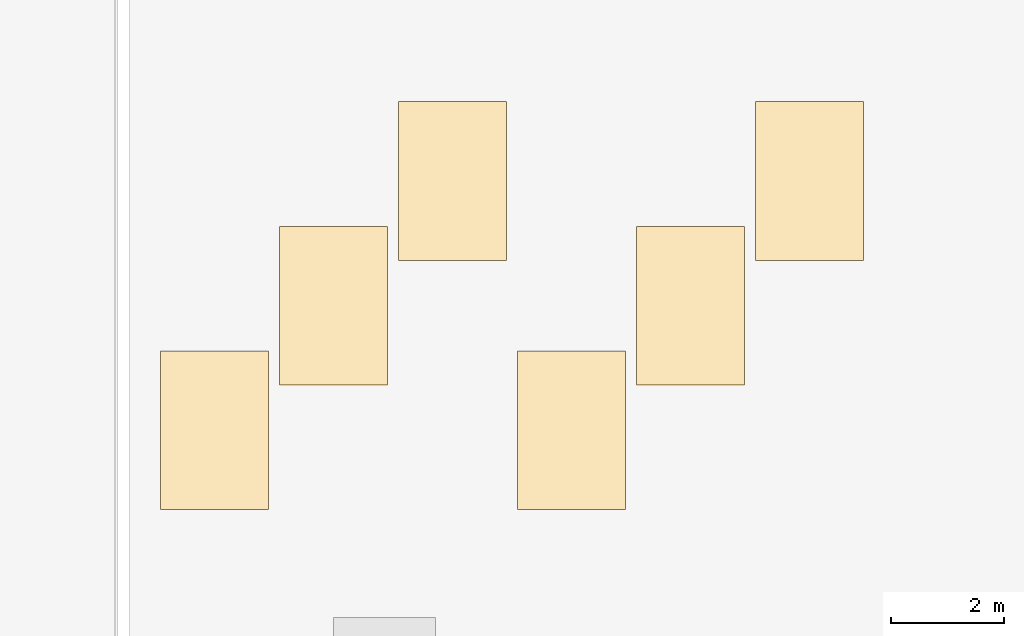
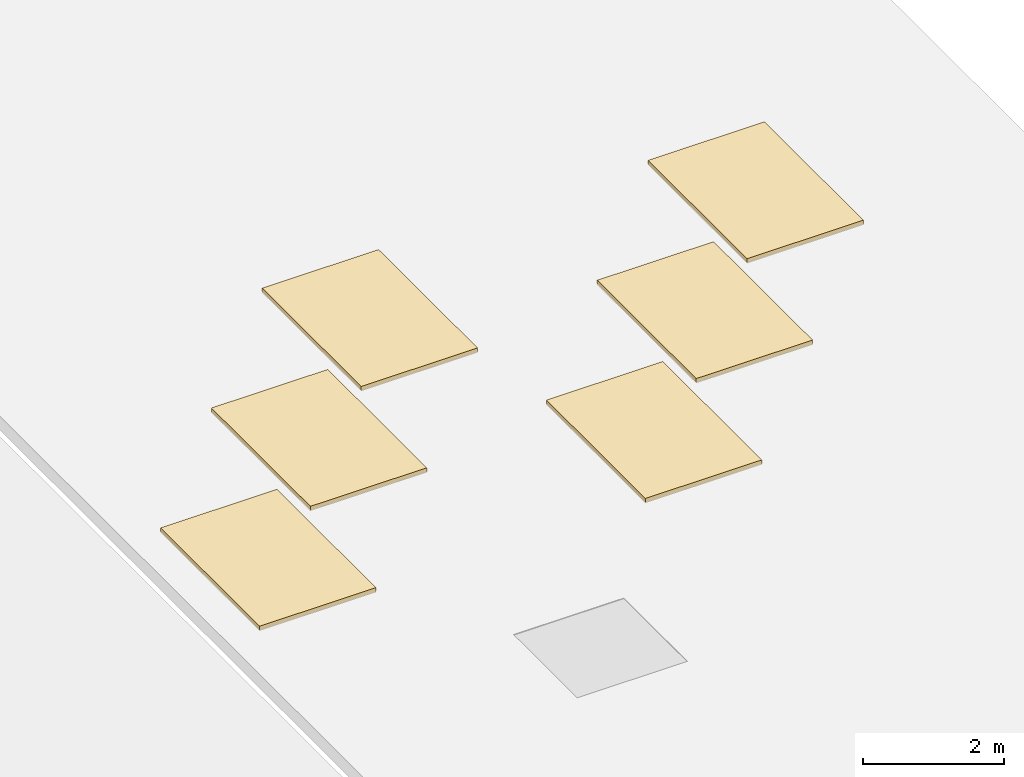
# One storey, part 2 of 2: 6 coverings.
"""IFC4 building model written with IfcOpenShell, lengths in metres."""

from ifc_helpers import new_model, si_unit, direction, frame, origin, origin_2d, place, context, subcontext, project, spatial, rectangle, extrude, material, layer, layer_set, type_object, element, save


model = new_model("IFC4")

# Units and contexts
model_context = context("Model", 3, precision=1e-05, world=origin(), true_north=direction((0.0, 1.0)))
body_context = subcontext(model_context, "Body", "Model", "MODEL_VIEW")
ifc_project = project(units=[si_unit("LENGTHUNIT", "METRE"), si_unit("AREAUNIT", "SQUARE_METRE"), si_unit("VOLUMEUNIT", "CUBIC_METRE"), si_unit("PLANEANGLEUNIT", "RADIAN"), si_unit("MASSUNIT", "GRAM", prefix="KILO")], contexts=[model_context])

# Site, building, storey
site_placement = place(None, origin())
site = spatial("IfcSite", under=ifc_project, at=site_placement, CompositionType="ELEMENT")
building_placement = place(site_placement, origin())
building = spatial("IfcBuilding", under=site, at=building_placement, Name="Savorim Split Tower", CompositionType="ELEMENT")
storey_placement = place(building_placement, frame((0.0, 0.0, 322.800048828125)))
storey = spatial("IfcBuildingStorey", under=building, at=storey_placement, Name="Roof", CompositionType="ELEMENT", Elevation=322.800048828125)

# Coverings
ifc_material = material(Name="EPDM Insulated Roof Membrane")
ifc_layer = layer(ifc_material, 0.080078125)
ifc_layer_set = layer_set([ifc_layer], Name="COV-ROOF-EPDM")
covering_type = type_object("IfcCoveringType", Name="COV-ROOF-EPDM", PredefinedType="ROOFING", material=ifc_layer_set)
for number, where, z_axis, x_axis, name in (
    (1, (-6.5, -3.0, -0.02001953125), (0.0, 0.0, 1.0), (1.0, 0.0, 0.0), "West Crest Insulated Roof Membrane 1"),
    (2, (-4.39990234375, -0.800048828125, -0.02001953125), (0.0, 0.0, 1.0), (1.0, 0.0, 0.0), "West Crest Insulated Roof Membrane 2"),
    (3, (-2.300048828125, 1.39990234375, -0.02001953125), (0.0, 0.0, 1.0), (1.0, 0.0, 0.0), "West Crest Insulated Roof Membrane 3"),
    (4, (-0.199951171875, -3.0, -0.02001953125), (0.0, 0.0, 1.0), (1.0, 0.0, 0.0), "West Crest Insulated Roof Membrane 4"),
    (5, (1.89990234375, -0.800048828125, -0.02001953125), (0.0, 0.0, 1.0), (1.0, 0.0, 0.0), "West Crest Insulated Roof Membrane 5"),
    (6, (4.0, 1.39990234375, -0.02001953125), (0.0, 0.0, 1.0), (1.0, 0.0, 0.0), "West Crest Insulated Roof Membrane 6"),
):
    element("IfcCovering", number, at=place(storey_placement, frame(where, z_axis=z_axis, x_axis=x_axis)), inside=storey, type_object=covering_type, Name=name, PredefinedType="ROOFING", context=body_context, shape_type="SweptSolid", body=[
        extrude(rectangle(XDim=1.89990234375, YDim=2.800048828125, at=origin_2d()), origin(), (0.0, 0.0, 1.0), 0.080078125),
    ])

save(model, "model.ifc")
